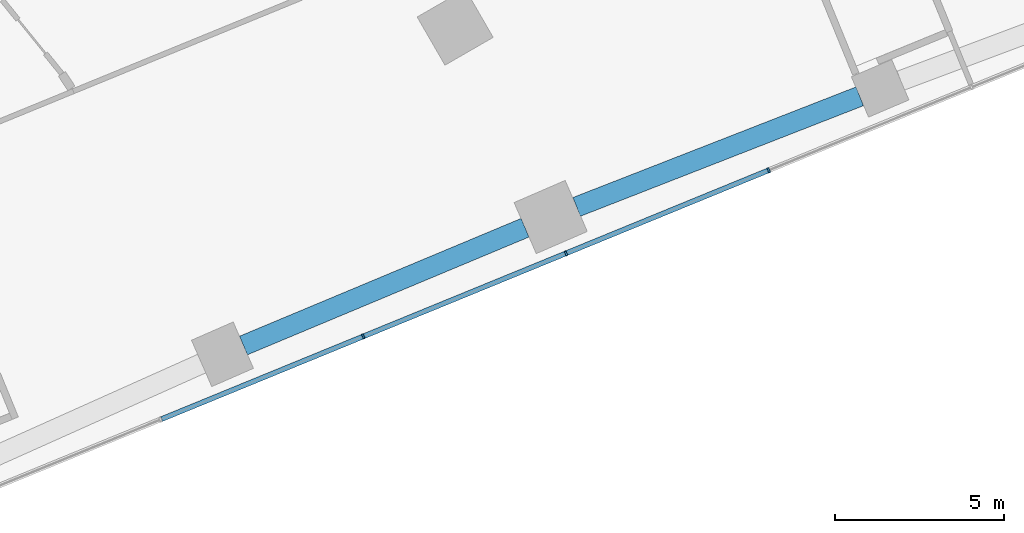
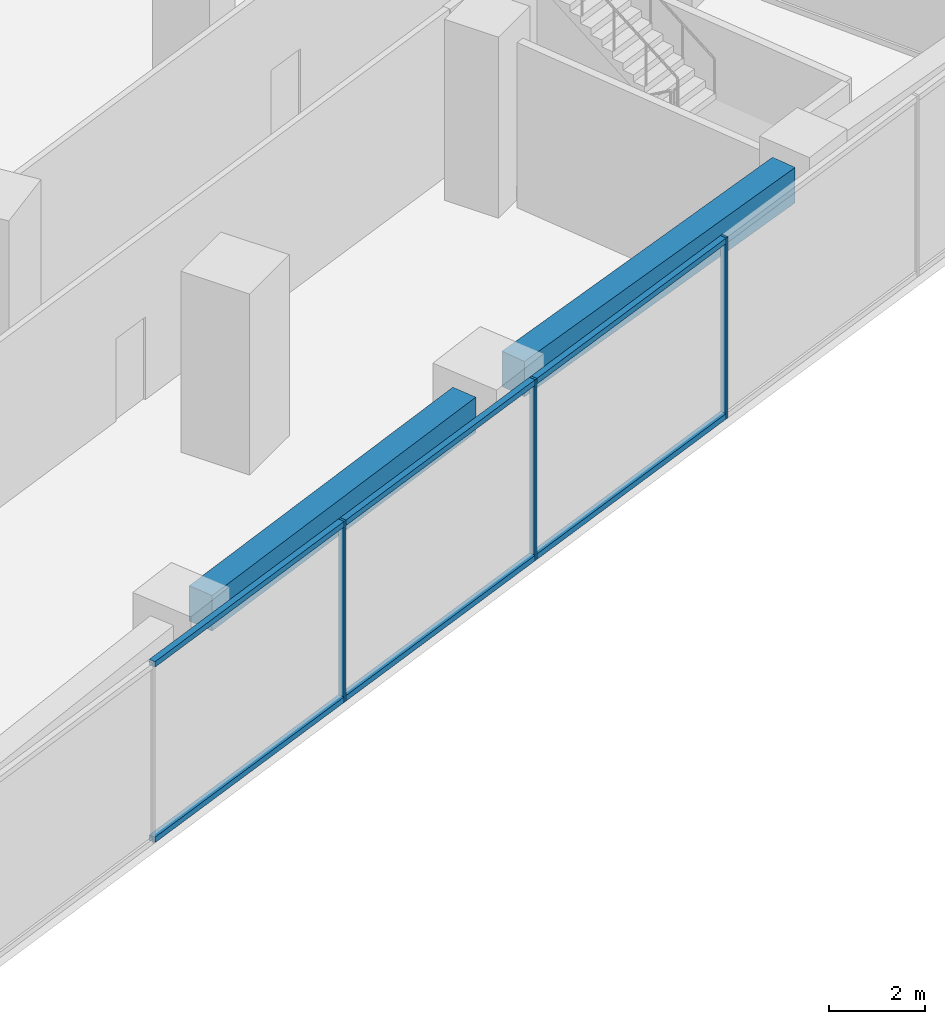
# One storey, part 10 of 40: 9 members, 2 beams, 1 element without a shape of its own.
"""IFC4 building model written with IfcOpenShell, lengths in metres."""

import ifcopenshell
import ifcopenshell.guid

model = None  # the IFC model being written
_history = None  # IfcOwnerHistory: only IFC2X3 demands one
_inside = {}  # id of a spatial element -> (the spatial element, [elements in it])
_under = {}  # id of a project, library or spatial element -> (it, [spatial elements below it])
_declared = {}  # id of a project -> (the project, [libraries it declares])
_typed = {}  # id of a type object -> (the type object, [elements of that type])
_made_of = {}  # id of a material, layer set ... -> (it, [elements and type objects made of it])


def new_model(schema):
    """Start an empty IFC model of exactly this schema.

    Asked for "IFC4X3", IfcOpenShell would pick the latest addendum, in which some entities
    have other attributes; the version numbers below select the first issue.
    IFC2X3 requires an IfcOwnerHistory on every rooted entity: one is made here for all.
    """
    global model, _history
    if schema == "IFC4X3":
        model = ifcopenshell.file(schema_version=(4, 3, 0, 0))
    else:
        model = ifcopenshell.file(schema=schema)
    _inside.clear()
    _under.clear()
    _declared.clear()
    _typed.clear()
    _made_of.clear()
    _history = None
    if model.schema == "IFC2X3":
        org = make("IfcOrganization", Name="unknown")
        user = make(
            "IfcPersonAndOrganization",
            ThePerson=make("IfcPerson", FamilyName="unknown"),
            TheOrganization=org,
        )
        app = make(
            "IfcApplication",
            ApplicationDeveloper=org,
            Version="unknown",
            ApplicationFullName="unknown",
            ApplicationIdentifier="unknown",
        )
        _history = make(
            "IfcOwnerHistory",
            OwningUser=user,
            OwningApplication=app,
            ChangeAction="ADDED",
            CreationDate=0,
        )
    return model


def make(cls, **values):
    """One entity of the class cls with the attributes given. An attribute that is None is left unset."""
    return model.create_entity(
        cls, **{name: value for name, value in values.items() if value is not None}
    )


def rooted(cls, **values):
    """An entity with a GlobalId (a new one), such as an element, a storey or a relation."""
    return make(cls, GlobalId=ifcopenshell.guid.new(), OwnerHistory=_history, **values)


def si_unit(unit_type, name, prefix=None):
    """IfcSIUnit, for example si_unit("LENGTHUNIT", "METRE", prefix="MILLI")."""
    return make("IfcSIUnit", UnitType=unit_type, Prefix=prefix, Name=name)


def assignment(units):
    """IfcUnitAssignment: the units of a project."""
    return None if units is None else make("IfcUnitAssignment", Units=units)


def point(xyz):
    """IfcCartesianPoint."""
    return None if xyz is None else make("IfcCartesianPoint", Coordinates=xyz)


def direction(xyz):
    """IfcDirection."""
    return None if xyz is None else make("IfcDirection", DirectionRatios=xyz)


def frame(location, z_axis=None, x_axis=None):
    """IfcAxis2Placement3D, a coordinate frame: its origin and axes. An axis left out is left unset."""
    return make(
        "IfcAxis2Placement3D",
        Location=point(location),
        Axis=direction(z_axis),
        RefDirection=direction(x_axis),
    )


def frame_2d(location, x_axis=None):
    """IfcAxis2Placement2D, a coordinate frame in the plane: its origin and x axis."""
    return make(
        "IfcAxis2Placement2D", Location=point(location), RefDirection=direction(x_axis)
    )


def origin():
    """The frame at (0, 0, 0) with its axes left unset."""
    return frame((0.0, 0.0, 0.0))


def origin_2d():
    """The frame at (0, 0) in the plane with its x axis left unset."""
    return frame_2d((0.0, 0.0))


def place(relative_to, where):
    """IfcLocalPlacement: puts the frame where relative to a parent placement (None: the world)."""
    return make(
        "IfcLocalPlacement", PlacementRelTo=relative_to, RelativePlacement=where
    )


def context(
    kind, dimensions, precision=None, world=None, true_north=None, identifier=None
):
    """IfcGeometricRepresentationContext, for example the 3D "Model" context."""
    return make(
        "IfcGeometricRepresentationContext",
        ContextIdentifier=identifier,
        ContextType=kind,
        CoordinateSpaceDimension=dimensions,
        Precision=precision,
        WorldCoordinateSystem=world,
        TrueNorth=true_north,
    )


def subcontext(parent, identifier, kind, view, scale=None):
    """IfcGeometricRepresentationSubContext, for example "Body" below "Model"."""
    return make(
        "IfcGeometricRepresentationSubContext",
        ContextIdentifier=identifier,
        ContextType=kind,
        ParentContext=parent,
        TargetScale=scale,
        TargetView=view,
    )


def project(units=None, contexts=None):
    """IfcProject with its units and contexts."""
    return rooted(
        "IfcProject",
        Name="project",
        RepresentationContexts=contexts,
        UnitsInContext=assignment(units),
    )


def spatial(cls, under=None, at=None, **own):
    """A site, building, storey or space (cls), placed at a placement, below another one or the project."""
    s = rooted(cls, ObjectPlacement=at, **own)
    if under is not None:
        _under.setdefault(under.id(), (under, []))[1].append(s)
    return s


def profile(cls, at=None, kind="AREA", **sizes):
    """A parametric profile (cls). Its sizes go by their IFC names, for example OverallWidth=200.0."""
    return make(cls, ProfileType=kind, Position=at, **sizes)


def rectangle(**sizes):
    """IfcRectangleProfileDef."""
    return profile("IfcRectangleProfileDef", **sizes)


def extrude(swept, where, along, depth):
    """IfcExtrudedAreaSolid: the profile swept, set in the frame where, extruded along a direction by depth."""
    return make(
        "IfcExtrudedAreaSolid",
        SweptArea=swept,
        Position=where,
        ExtrudedDirection=direction(along),
        Depth=depth,
    )


def shape(context_of_items, identifier, shape_type, items):
    """IfcShapeRepresentation: the items that make up one representation, for example the "Body"."""
    return make(
        "IfcShapeRepresentation",
        ContextOfItems=context_of_items,
        RepresentationIdentifier=identifier,
        RepresentationType=shape_type,
        Items=items,
    )


def material(Name=None, Category=None):
    """IfcMaterial."""
    return make("IfcMaterial", Name=Name, Category=Category)


def layer(
    of_material, thickness, ventilated=None, Name=None, Category=None, Priority=None
):
    """IfcMaterialLayer: one layer of a wall or slab, of a material (None: an air gap)."""
    return make(
        "IfcMaterialLayer",
        Material=of_material,
        LayerThickness=thickness,
        IsVentilated=ventilated,
        Name=Name,
        Category=Category,
        Priority=Priority,
    )


def layer_set(layers, Name=None):
    """IfcMaterialLayerSet."""
    return make("IfcMaterialLayerSet", MaterialLayers=layers, LayerSetName=Name)


def material_profile(
    of_material, cross_section, Name=None, Category=None, Priority=None
):
    """IfcMaterialProfile: a cross section and its material."""
    return make(
        "IfcMaterialProfile",
        Name=Name,
        Material=of_material,
        Profile=cross_section,
        Priority=Priority,
        Category=Category,
    )


def profile_set(profiles, Name=None, composite=None):
    """IfcMaterialProfileSet."""
    return make(
        "IfcMaterialProfileSet",
        Name=Name,
        MaterialProfiles=profiles,
        CompositeProfile=composite,
    )


def made_of(thing, what):
    """Note that an element or type object is made of a material, layer set ...; save() writes the relation."""
    if what is not None:
        _made_of.setdefault(what.id(), (what, []))[1].append(thing)
    return thing


def type_object(cls, material=None, **own):
    """A type object (cls), such as IfcWallType, which elements share."""
    return made_of(rooted(cls, **own), material)


def element(
    cls,
    number,
    at=None,
    inside=None,
    cuts=None,
    type_object=None,
    material=None,
    context=None,
    identifier="Body",
    shape_type=None,
    held_by="IfcProductDefinitionShape",
    body=None,
    shapes=None,
    **own,
):
    """One element of the class cls, such as IfcWall. Its Tag is "e" and its number.

    at: its placement. inside: the storey or other place that contains it. cuts: it is an
    opening in that element (IfcRelVoidsElement). A single representation is given by context,
    identifier, shape_type and body (its items); several are given by shapes. held_by: the class
    of the entity that holds the representations. save() writes the other relations.
    """
    e = rooted(cls, Tag="e%d" % number, ObjectPlacement=at, **own)
    if body is not None:
        shapes = [shape(context, identifier, shape_type, body)]
    if shapes is not None:
        e.Representation = make(held_by, Representations=shapes)
    if inside is not None:
        _inside.setdefault(inside.id(), (inside, []))[1].append(e)
    if cuts is not None:
        rooted(
            "IfcRelVoidsElement", RelatingBuildingElement=cuts, RelatedOpeningElement=e
        )
    if type_object is not None:
        _typed.setdefault(type_object.id(), (type_object, []))[1].append(e)
    return made_of(e, material)


def aggregate(whole, parts):
    """IfcRelAggregates: a whole, such as a stair, and the parts it consists of."""
    return rooted("IfcRelAggregates", RelatingObject=whole, RelatedObjects=parts)


def save(model, path):
    """Write the relations noted so far, then the file.

    IfcRelAggregates (storeys below a building ...), IfcRelContainedInSpatialStructure (elements
    in a storey), IfcRelDefinesByType, IfcRelAssociatesMaterial and IfcRelDeclares: one each for
    every whole, place, type object, material and project.
    """
    for whole, parts in _under.values():
        aggregate(whole, parts)
    for where, things in _inside.values():
        rooted(
            "IfcRelContainedInSpatialStructure",
            RelatedElements=things,
            RelatingStructure=where,
        )
    for kind, things in _typed.values():
        rooted("IfcRelDefinesByType", RelatedObjects=things, RelatingType=kind)
    for what, things in _made_of.values():
        rooted("IfcRelAssociatesMaterial", RelatedObjects=things, RelatingMaterial=what)
    for by, libraries in _declared.values():
        rooted("IfcRelDeclares", RelatingContext=by, RelatedDefinitions=libraries)
    model.write(path)


model = new_model("IFC4")

# Units and contexts
model_context = context("Model", 3, precision=1e-05, world=origin(), true_north=direction((0.0, 1.0)))
body_context = subcontext(model_context, "Body", "Model", "MODEL_VIEW")
ifc_project = project(units=[si_unit("LENGTHUNIT", "METRE"), si_unit("AREAUNIT", "SQUARE_METRE"), si_unit("VOLUMEUNIT", "CUBIC_METRE"), si_unit("PLANEANGLEUNIT", "RADIAN"), si_unit("MASSUNIT", "GRAM", prefix="KILO")], contexts=[model_context])

# Site, building, storey
site_placement = place(None, origin())
site = spatial("IfcSite", under=ifc_project, at=site_placement, CompositionType="ELEMENT")
building_placement = place(site_placement, origin())
building = spatial("IfcBuilding", under=site, at=building_placement, Name="Stone Belt Terrace Tower", CompositionType="ELEMENT")
storey_placement = place(building_placement, frame((0.0, 0.0, 11.60009765625)))
storey = spatial("IfcBuildingStorey", under=building, at=storey_placement, Name="L02", CompositionType="ELEMENT", Elevation=11.60009765625)

# Curtain wall, members
ifc_material_1 = material(Name="Aluminium 6063-T6 anodised frame", Category="aluminium")
ifc_layer = layer(ifc_material_1, 0.14990234375)
ifc_layer_set = layer_set([ifc_layer], Name="CW-D podium shopfront")
curtain_wall_type = type_object("IfcCurtainWallType", Name="CW-D podium shopfront", PredefinedType="NOTDEFINED", material=ifc_layer_set)
curtain_wall_placement = place(storey_placement, origin())
curtain_wall = element("IfcCurtainWall", 1, at=curtain_wall_placement, inside=storey, type_object=curtain_wall_type, Name="CW-D end face L02", PredefinedType="NOTDEFINED")
ifc_material_profile_1 = material_profile(ifc_material_1, rectangle(XDim=0.14990234375, YDim=0.06005859375, at=origin_2d()), Name="Aluminium 6063-T6 60x150")
ifc_profile_set_1 = profile_set([ifc_material_profile_1], Name="Aluminium 6063-T6 anodised frame")
member_type_1 = type_object("IfcMemberType", Name="CW-D mullion 60 x 150", PredefinedType="MULLION", material=ifc_profile_set_1)
member_1_placement = place(storey_placement, frame((44.9052734375, 18.323974609375, 0.0), z_axis=(0.0, 0.0, 1.0), x_axis=(-0.379243093825, 0.925297074342, 0.0)))
member_1 = element("IfcMember", 2, at=member_1_placement, type_object=member_type_1, Name="CW-D mullion 5", PredefinedType="MULLION", context=body_context, shape_type="SweptSolid", body=[
    extrude(rectangle(XDim=0.14990234375, YDim=0.06005859375, at=origin_2d()), origin(), (0.0, 0.0, 1.0), 4.599853515625),
])
member_2_placement = place(storey_placement, frame((50.919677734375, 20.7890625, 0.0), z_axis=(0.0, 0.0, 1.0), x_axis=(-0.379243093825, 0.925297074342, 0.0)))
member_2 = element("IfcMember", 3, at=member_2_placement, type_object=member_type_1, Name="CW-D mullion 6", PredefinedType="MULLION", context=body_context, shape_type="SweptSolid", body=[
    extrude(rectangle(XDim=0.14990234375, YDim=0.06005859375, at=origin_2d()), origin(), (0.0, 0.0, 1.0), 4.599853515625),
])
member_3_placement = place(storey_placement, frame((56.934326171875, 23.254150390625, 0.0), z_axis=(0.0, 0.0, 1.0), x_axis=(-0.379243093825, 0.925297074342, 0.0)))
member_3 = element("IfcMember", 4, at=member_3_placement, type_object=member_type_1, Name="CW-D mullion 7", PredefinedType="MULLION", context=body_context, shape_type="SweptSolid", body=[
    extrude(rectangle(XDim=0.14990234375, YDim=0.06005859375, at=origin_2d()), origin(), (0.0, 0.0, 1.0), 4.599853515625),
])
ifc_material_profile_2 = material_profile(ifc_material_1, rectangle(XDim=0.14990234375, YDim=0.139892578125, at=origin_2d()), Name="Aluminium 6063-T6 150x140")
ifc_profile_set_2 = profile_set([ifc_material_profile_2], Name="Aluminium 6063-T6 anodised frame")
member_type_2 = type_object("IfcMemberType", Name="CW-D transom 140 x 150", PredefinedType="USERDEFINED", material=ifc_profile_set_2)
member_4_placement = place(storey_placement, frame((38.918701171875, 15.8701171875, 0.06982421875), z_axis=(0.925295543226, 0.3792468295, 0.0), x_axis=(-0.3792468295, 0.925295543226, 0.0)))
member_4 = element("IfcMember", 5, at=member_4_placement, type_object=member_type_2, Name="CW-D transom 4.1", ObjectType="TRANSOM", PredefinedType="USERDEFINED", context=body_context, shape_type="SweptSolid", body=[
    extrude(rectangle(XDim=0.14990234375, YDim=0.139892578125, at=origin_2d()), origin(), (0.0, 0.0, 1.0), 6.440185546875),
])
member_5_placement = place(storey_placement, frame((38.918701171875, 15.8701171875, 4.52978515625), z_axis=(0.925295543226, 0.3792468295, 0.0), x_axis=(-0.3792468295, 0.925295543226, 0.0)))
member_5 = element("IfcMember", 6, at=member_5_placement, type_object=member_type_2, Name="CW-D transom 4.2", ObjectType="TRANSOM", PredefinedType="USERDEFINED", context=body_context, shape_type="SweptSolid", body=[
    extrude(rectangle(XDim=0.14990234375, YDim=0.139892578125, at=origin_2d()), origin(), (0.0, 0.0, 1.0), 6.440185546875),
])
member_6_placement = place(storey_placement, frame((44.93310546875, 18.335205078125, 0.06982421875), z_axis=(0.925295543226, 0.3792468295, 0.0), x_axis=(-0.3792468295, 0.925295543226, 0.0)))
member_6 = element("IfcMember", 7, at=member_6_placement, type_object=member_type_2, Name="CW-D transom 5.1", ObjectType="TRANSOM", PredefinedType="USERDEFINED", context=body_context, shape_type="SweptSolid", body=[
    extrude(rectangle(XDim=0.14990234375, YDim=0.139892578125, at=origin_2d()), origin(), (0.0, 0.0, 1.0), 6.440185546875),
])
member_7_placement = place(storey_placement, frame((44.93310546875, 18.335205078125, 4.52978515625), z_axis=(0.925295543226, 0.3792468295, 0.0), x_axis=(-0.3792468295, 0.925295543226, 0.0)))
member_7 = element("IfcMember", 8, at=member_7_placement, type_object=member_type_2, Name="CW-D transom 5.2", ObjectType="TRANSOM", PredefinedType="USERDEFINED", context=body_context, shape_type="SweptSolid", body=[
    extrude(rectangle(XDim=0.14990234375, YDim=0.139892578125, at=origin_2d()), origin(), (0.0, 0.0, 1.0), 6.440185546875),
])
member_8_placement = place(storey_placement, frame((50.947509765625, 20.80029296875, 0.06982421875), z_axis=(0.925295543226, 0.3792468295, 0.0), x_axis=(-0.3792468295, 0.925295543226, 0.0)))
member_8 = element("IfcMember", 9, at=member_8_placement, type_object=member_type_2, Name="CW-D transom 6.1", ObjectType="TRANSOM", PredefinedType="USERDEFINED", context=body_context, shape_type="SweptSolid", body=[
    extrude(rectangle(XDim=0.14990234375, YDim=0.139892578125, at=origin_2d()), origin(), (0.0, 0.0, 1.0), 6.440185546875),
])
member_9_placement = place(storey_placement, frame((50.947509765625, 20.80029296875, 4.52978515625), z_axis=(0.925295543226, 0.3792468295, 0.0), x_axis=(-0.3792468295, 0.925295543226, 0.0)))
member_9 = element("IfcMember", 10, at=member_9_placement, type_object=member_type_2, Name="CW-D transom 6.2", ObjectType="TRANSOM", PredefinedType="USERDEFINED", context=body_context, shape_type="SweptSolid", body=[
    extrude(rectangle(XDim=0.14990234375, YDim=0.139892578125, at=origin_2d()), origin(), (0.0, 0.0, 1.0), 6.440185546875),
])
aggregate(curtain_wall, [member_1, member_2, member_3, member_4, member_5, member_6, member_7, member_8, member_9])

# Beams
ifc_material_2 = material(Name="Concrete B60", Category="concrete")
ifc_material_profile_3 = material_profile(ifc_material_2, rectangle(XDim=0.60009765625, YDim=0.89990234375, at=origin_2d()), Name="RC 600x900")
ifc_profile_set_3 = profile_set([ifc_material_profile_3], Name="Concrete B60")
beam_type = type_object("IfcBeamType", Name="Edge beam RC 600x900 B60", PredefinedType="SPANDREL", material=ifc_profile_set_3)
beam_1_placement = place(storey_placement, frame((41.35009765625, 18.05517578125, 3.75), z_axis=(0.922576038767, 0.385815309044, 0.0), x_axis=(-0.385815309044, 0.922576038767, 0.0)))
element("IfcBeam", 11, at=beam_1_placement, inside=storey, type_object=beam_type, Name="Edge beam L02 B P to Q", PredefinedType="SPANDREL", context=body_context, shape_type="SweptSolid", body=[
    extrude(rectangle(XDim=0.60009765625, YDim=0.89990234375, at=origin_2d()), origin(), (0.0, 0.0, 1.0), 9.055908203125),
])
beam_2_placement = place(storey_placement, frame((51.235107421875, 22.167724609375, 3.75), z_axis=(0.931488596429, 0.363770524813, 0.0), x_axis=(-0.363770524813, 0.931488596429, 0.0)))
element("IfcBeam", 12, at=beam_2_placement, inside=storey, type_object=beam_type, Name="Edge beam L02 B Q to R", PredefinedType="SPANDREL", context=body_context, shape_type="SweptSolid", body=[
    extrude(rectangle(XDim=0.60009765625, YDim=0.89990234375, at=origin_2d()), origin(), (0.0, 0.0, 1.0), 9.018798828125),
])

save(model, "model.ifc")
